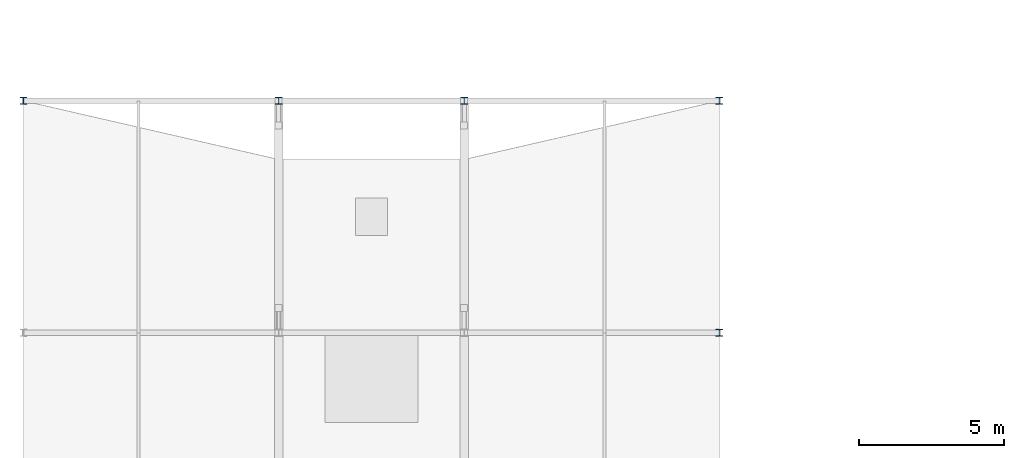
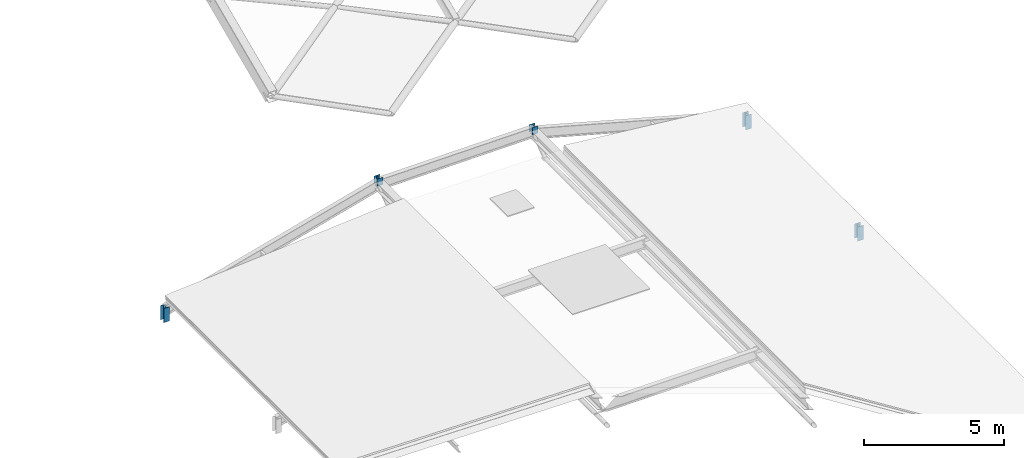
# One storey, part 22 of 54: 5 members.
"""IFC4 building model written with IfcOpenShell, lengths in metres."""

from ifc_helpers import new_model, si_unit, direction, frame, origin, origin_2d, place, context, subcontext, project, spatial, i_section, extrude, material, material_profile, profile_set, type_object, element, save


model = new_model("IFC4")

# Units and contexts
model_context = context("Model", 3, precision=1e-05, world=origin(), true_north=direction((0.0, 1.0)))
body_context = subcontext(model_context, "Body", "Model", "MODEL_VIEW")
ifc_project = project(units=[si_unit("LENGTHUNIT", "METRE"), si_unit("AREAUNIT", "SQUARE_METRE"), si_unit("VOLUMEUNIT", "CUBIC_METRE"), si_unit("PLANEANGLEUNIT", "RADIAN"), si_unit("MASSUNIT", "GRAM", prefix="KILO")], contexts=[model_context])

# Site, building, storey
site_placement = place(None, origin())
site = spatial("IfcSite", under=ifc_project, at=site_placement, CompositionType="ELEMENT")
building_placement = place(site_placement, origin())
building = spatial("IfcBuilding", under=site, at=building_placement, Name="Kenh Van Central Station", CompositionType="ELEMENT")
storey_placement = place(building_placement, frame((0.0, 0.0, 15.0)))
storey = spatial("IfcBuildingStorey", under=building, at=storey_placement, Name="L03", CompositionType="ELEMENT", Elevation=15.0)

# Members
ifc_material = material(Name="Steel S355", Category="steel")
ifc_material_profile = material_profile(ifc_material, i_section(OverallWidth=0.239990234375, OverallDepth=0.22998046875, WebThickness=0.007568359375, FlangeThickness=0.011962890625, FilletRadius=0.02099609375, at=origin_2d()), Name="HEA 240")
ifc_profile_set = profile_set([ifc_material_profile], Name="Steel S355")
member_type = type_object("IfcMemberType", Name="MEM-ROOF-POST240", PredefinedType="POST", material=ifc_profile_set)
for number, where, z_axis, x_axis, name in (
    (1, (48.0, 56.0, -0.949951171875), (0.0, 0.0, 1.0), (1.0, 0.0, 0.0), "L03 roof eave post 114"),
    (2, (24.0, 64.0, -0.949951171875), (0.0, 0.0, 1.0), (1.0, 0.0, 0.0), "L03 roof eave post 117"),
    (3, (48.0, 64.0, -0.949951171875), (0.0, 0.0, 1.0), (1.0, 0.0, 0.0), "L03 roof eave post 117"),
):
    element("IfcMember", number, at=place(storey_placement, frame(where, z_axis=z_axis, x_axis=x_axis)), inside=storey, type_object=member_type, Name=name, PredefinedType="POST", context=body_context, shape_type="SweptSolid", body=[
        extrude(i_section(OverallWidth=0.239990234375, OverallDepth=0.22998046875, WebThickness=0.007568359375, FlangeThickness=0.011962890625, FilletRadius=0.02099609375, at=origin_2d()), origin(), (0.0, 0.0, 1.0), 0.619384765625),
    ])
for number, where, z_axis, x_axis, name in (
    (4, (32.800048828125, 64.0, 1.91943359375), (0.0, 0.0, 1.0), (1.0, 0.0, 0.0), "L03 crown skylight post 117"),
    (5, (39.199951171875, 64.0, 1.91943359375), (0.0, 0.0, 1.0), (1.0, 0.0, 0.0), "L03 crown skylight post 117"),
):
    element("IfcMember", number, at=place(storey_placement, frame(where, z_axis=z_axis, x_axis=x_axis)), inside=storey, type_object=member_type, Name=name, PredefinedType="POST", context=body_context, shape_type="SweptSolid", body=[
        extrude(i_section(OverallWidth=0.239990234375, OverallDepth=0.22998046875, WebThickness=0.007568359375, FlangeThickness=0.011962890625, FilletRadius=0.02099609375, at=origin_2d()), origin(), (0.0, 0.0, 1.0), 0.310546875),
    ])

save(model, "model.ifc")
